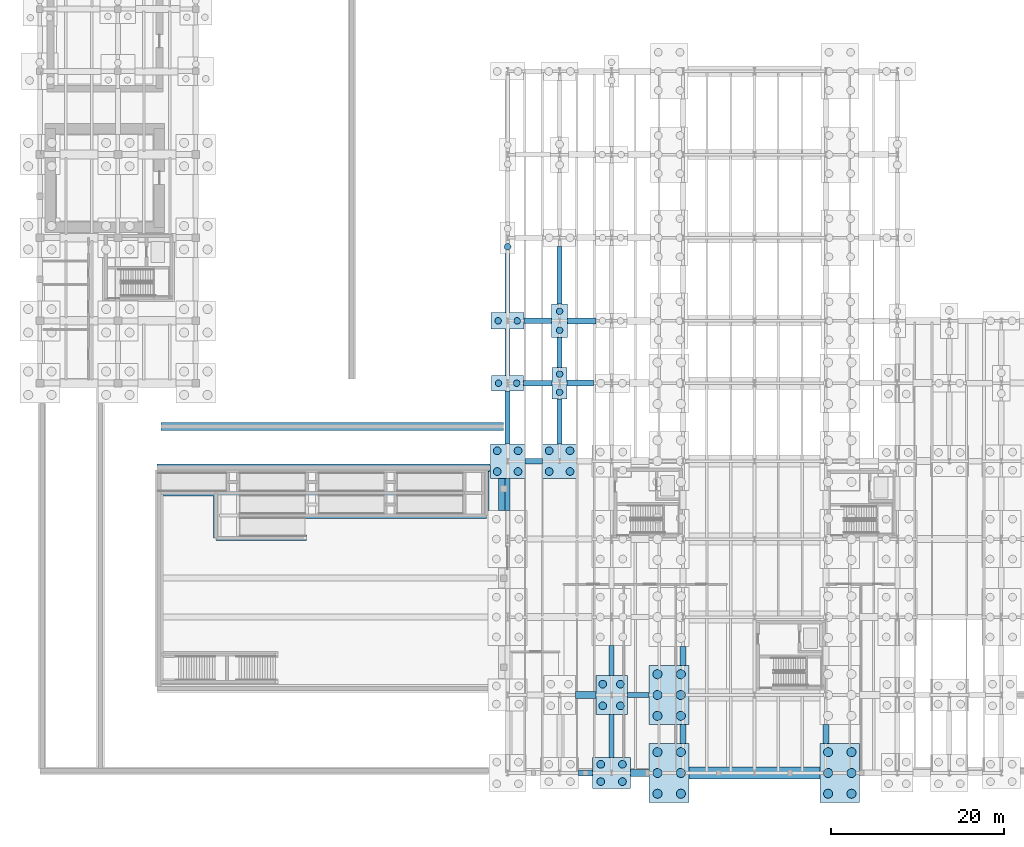
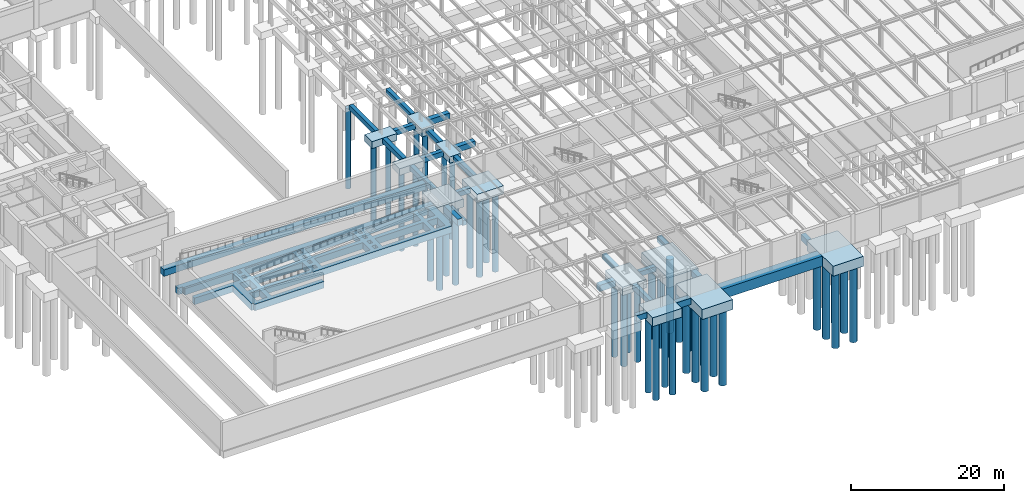
# One storey, part 2 of 59: 43 piles, 37 footings.
"""IFC4 building model written with IfcOpenShell, lengths in metres."""

from ifc_helpers import new_model, si_unit, direction, frame, origin, origin_2d, place, context, subcontext, project, spatial, polyline, rectangle, circle, outline, extrude, material, material_profile, profile_set, type_object, element, save


model = new_model("IFC4")

# Units and contexts
model_context = context("Model", 3, precision=1e-05, world=origin(), true_north=direction((0.0, 1.0)))
body_context = subcontext(model_context, "Body", "Model", "MODEL_VIEW")
ifc_project = project(units=[si_unit("LENGTHUNIT", "METRE"), si_unit("AREAUNIT", "SQUARE_METRE"), si_unit("VOLUMEUNIT", "CUBIC_METRE"), si_unit("PLANEANGLEUNIT", "RADIAN"), si_unit("MASSUNIT", "GRAM", prefix="KILO")], contexts=[model_context])

# Site, building, storey
site_placement = place(None, origin())
site = spatial("IfcSite", under=ifc_project, at=site_placement, CompositionType="ELEMENT")
building_placement = place(site_placement, origin())
building = spatial("IfcBuilding", under=site, at=building_placement, Name="Montealbar Specialist Clinic", CompositionType="ELEMENT")
storey_placement = place(building_placement, frame((0.0, 0.0, -4.800048828125)))
storey = spatial("IfcBuildingStorey", under=building, at=storey_placement, Name="B01", CompositionType="ELEMENT", Elevation=-4.800048828125)

# Footings
ifc_material = material(Name="Concrete C35/45", Category="concrete")
footing_type_1 = type_object("IfcFootingType", Name="FB-METRO-1400x1600", PredefinedType="FOOTING_BEAM", material=ifc_material)
footing_1_placement = place(storey_placement, frame((0.0, 0.0, -1.599853515625)))
element("IfcFooting", 1, at=footing_1_placement, inside=storey, type_object=footing_type_1, Name="Foundation Ground Beam FBX-750-900-0", PredefinedType="FOOTING_BEAM", context=body_context, shape_type="SweptSolid", body=[
    extrude(outline(polyline([(74.949951171875, -0.699951171875), (90.050048828125, -0.699951171875), (90.050048828125, 0.699951171875), (74.949951171875, 0.699951171875), (74.949951171875, -0.699951171875)])), origin(), (0.0, 0.0, 1.0), 1.599853515625),
])
footing_type_2 = type_object("IfcFootingType", Name="FB-TIE-600x800", PredefinedType="FOOTING_BEAM", material=ifc_material)
footing_2_placement = place(storey_placement, frame((0.0, 0.0, -1.25)))
element("IfcFooting", 2, at=footing_2_placement, inside=storey, type_object=footing_type_2, Name="Foundation Ground Beam FBX-678-704-90", PredefinedType="FOOTING_BEAM", context=body_context, shape_type="SweptSolid", body=[
    extrude(outline(polyline([(67.824951171875, 8.699951171875), (70.35009765625, 8.699951171875), (70.35009765625, 9.300048828125), (67.824951171875, 9.300048828125), (67.824951171875, 8.699951171875)])), origin(), (0.0, 0.0, 1.0), 0.800048828125),
])
footing_3_placement = place(storey_placement, frame((0.0, 0.0, -0.800048828125)))
element("IfcFooting", 3, at=footing_3_placement, inside=storey, type_object=footing_type_2, Name="Foundation Ground Beam FBX-560-580-360", PredefinedType="FOOTING_BEAM", context=body_context, shape_type="SweptSolid", body=[
    extrude(outline(polyline([(56.0, 35.699951171875), (58.0, 35.699951171875), (58.0, 36.300048828125), (56.0, 36.300048828125), (56.0, 35.699951171875)])), origin(), (0.0, 0.0, 1.0), 0.800048828125),
])
footing_4_placement = place(storey_placement, frame((0.0, 0.0, -0.800048828125)))
element("IfcFooting", 4, at=footing_4_placement, inside=storey, type_object=footing_type_2, Name="Foundation Ground Beam FBX-558-591-450", PredefinedType="FOOTING_BEAM", context=body_context, shape_type="SweptSolid", body=[
    extrude(outline(polyline([(55.85009765625, 44.699951171875), (59.125, 44.699951171875), (59.125, 45.300048828125), (55.85009765625, 45.300048828125), (55.85009765625, 44.699951171875)])), origin(), (0.0, 0.0, 1.0), 0.800048828125),
])
footing_5_placement = place(storey_placement, frame((0.0, 0.0, -0.800048828125)))
element("IfcFooting", 5, at=footing_5_placement, inside=storey, type_object=footing_type_2, Name="Foundation Ground Beam FBX-559-591-522", PredefinedType="FOOTING_BEAM", context=body_context, shape_type="SweptSolid", body=[
    extrude(outline(polyline([(55.89990234375, 51.89990234375), (59.074951171875, 51.89990234375), (59.074951171875, 52.5), (55.89990234375, 52.5), (55.89990234375, 51.89990234375)])), origin(), (0.0, 0.0, 1.0), 0.800048828125),
])
footing_6_placement = place(storey_placement, frame((0.0, 0.0, -1.25)))
element("IfcFooting", 6, at=footing_6_placement, inside=storey, type_object=footing_type_2, Name="Foundation Tie Beam FBY-540-303-340", PredefinedType="FOOTING_BEAM", context=body_context, shape_type="SweptSolid", body=[
    extrude(outline(polyline([(53.699951171875, 30.300048828125), (54.300048828125, 30.300048828125), (54.300048828125, 34.0), (53.699951171875, 34.0), (53.699951171875, 30.300048828125)])), origin(), (0.0, 0.0, 1.0), 0.800048828125),
])
footing_7_placement = place(storey_placement, frame((0.0, 0.0, -0.800048828125)))
element("IfcFooting", 7, at=footing_7_placement, inside=storey, type_object=footing_type_2, Name="Foundation Tie Beam FBY-540-380-441", PredefinedType="FOOTING_BEAM", context=body_context, shape_type="SweptSolid", body=[
    extrude(outline(polyline([(53.699951171875, 38.0), (54.300048828125, 38.0), (54.300048828125, 44.10009765625), (53.699951171875, 44.10009765625), (53.699951171875, 38.0)])), origin(), (0.0, 0.0, 1.0), 0.800048828125),
])
footing_8_placement = place(storey_placement, frame((0.0, 0.0, -0.800048828125)))
element("IfcFooting", 8, at=footing_8_placement, inside=storey, type_object=footing_type_2, Name="Foundation Tie Beam FBY-540-459-512", PredefinedType="FOOTING_BEAM", context=body_context, shape_type="SweptSolid", body=[
    extrude(outline(polyline([(53.699951171875, 45.89990234375), (54.300048828125, 45.89990234375), (54.300048828125, 51.25), (53.699951171875, 51.25), (53.699951171875, 45.89990234375)])), origin(), (0.0, 0.0, 1.0), 0.800048828125),
])
footing_9_placement = place(storey_placement, frame((0.0, 0.0, -0.800048828125)))
element("IfcFooting", 9, at=footing_9_placement, inside=storey, type_object=footing_type_2, Name="Foundation Tie Beam FBY-540-532-600", PredefinedType="FOOTING_BEAM", context=body_context, shape_type="SweptSolid", body=[
    extrude(outline(polyline([(53.699951171875, 53.14990234375), (54.300048828125, 53.14990234375), (54.300048828125, 59.97509765625), (53.699951171875, 59.97509765625), (53.699951171875, 53.14990234375)])), origin(), (0.0, 0.0, 1.0), 0.800048828125),
])
footing_10_placement = place(storey_placement, frame((0.0, 0.0, -0.800048828125)))
element("IfcFooting", 10, at=footing_10_placement, inside=storey, type_object=footing_type_2, Name="Foundation Tie Beam FBY-600-380-432", PredefinedType="FOOTING_BEAM", context=body_context, shape_type="SweptSolid", body=[
    extrude(outline(polyline([(59.699951171875, 38.0), (60.300048828125, 38.0), (60.300048828125, 43.175048828125), (59.699951171875, 43.175048828125), (59.699951171875, 38.0)])), origin(), (0.0, 0.0, 1.0), 0.800048828125),
])
footing_11_placement = place(storey_placement, frame((0.0, 0.0, -0.800048828125)))
element("IfcFooting", 11, at=footing_11_placement, inside=storey, type_object=footing_type_2, Name="Foundation Tie Beam FBY-600-468-503", PredefinedType="FOOTING_BEAM", context=body_context, shape_type="SweptSolid", body=[
    extrude(outline(polyline([(59.699951171875, 46.824951171875), (60.300048828125, 46.824951171875), (60.300048828125, 50.27490234375), (59.699951171875, 50.27490234375), (59.699951171875, 46.824951171875)])), origin(), (0.0, 0.0, 1.0), 0.800048828125),
])
footing_12_placement = place(storey_placement, frame((0.0, 0.0, -0.800048828125)))
element("IfcFooting", 12, at=footing_12_placement, inside=storey, type_object=footing_type_2, Name="Foundation Tie Beam FBY-600-541-608", PredefinedType="FOOTING_BEAM", context=body_context, shape_type="SweptSolid", body=[
    extrude(outline(polyline([(59.699951171875, 54.125), (60.300048828125, 54.125), (60.300048828125, 60.800048828125), (59.699951171875, 60.800048828125), (59.699951171875, 54.125)])), origin(), (0.0, 0.0, 1.0), 0.800048828125),
])
footing_13_placement = place(storey_placement, frame((0.0, 0.0, -1.25)))
element("IfcFooting", 13, at=footing_13_placement, inside=storey, type_object=footing_type_2, Name="Foundation Tie Beam FBY-660-18-68", PredefinedType="FOOTING_BEAM", context=body_context, shape_type="SweptSolid", body=[
    extrude(outline(polyline([(65.699951171875, 1.800048828125), (66.300048828125, 1.800048828125), (66.300048828125, 6.77490234375), (65.699951171875, 6.77490234375), (65.699951171875, 1.800048828125)])), origin(), (0.0, 0.0, 1.0), 0.800048828125),
])
footing_14_placement = place(storey_placement, frame((0.0, 0.0, -1.25)))
element("IfcFooting", 14, at=footing_14_placement, inside=storey, type_object=footing_type_2, Name="Foundation Tie Beam FBY-660-112-147", PredefinedType="FOOTING_BEAM", context=body_context, shape_type="SweptSolid", body=[
    extrude(outline(polyline([(65.699951171875, 11.22509765625), (66.300048828125, 11.22509765625), (66.300048828125, 14.699951171875), (65.699951171875, 14.699951171875), (65.699951171875, 11.22509765625)])), origin(), (0.0, 0.0, 1.0), 0.800048828125),
])
footing_type_3 = type_object("IfcFootingType", Name="FB-TIE-700x900", PredefinedType="FOOTING_BEAM", material=ifc_material)
footing_15_placement = place(storey_placement, frame((0.0, 0.0, -0.89990234375)))
element("IfcFooting", 15, at=footing_15_placement, inside=storey, type_object=footing_type_3, Name="Foundation Ground Beam FBX-622-638-0", PredefinedType="FOOTING_BEAM", context=body_context, shape_type="SweptSolid", body=[
    extrude(outline(polyline([(62.199951171875, -0.35009765625), (63.800048828125, -0.35009765625), (63.800048828125, 0.35009765625), (62.199951171875, 0.35009765625), (62.199951171875, -0.35009765625)])), origin(), (0.0, 0.0, 1.0), 0.89990234375),
])
footing_16_placement = place(storey_placement, frame((0.0, 0.0, -0.89990234375)))
element("IfcFooting", 16, at=footing_16_placement, inside=storey, type_object=footing_type_3, Name="Foundation Ground Beam FBX-609-639-450", PredefinedType="FOOTING_BEAM", context=body_context, shape_type="SweptSolid", body=[
    extrude(outline(polyline([(60.875, 44.64990234375), (63.89990234375, 44.64990234375), (63.89990234375, 45.35009765625), (60.875, 45.35009765625), (60.875, 44.64990234375)])), origin(), (0.0, 0.0, 1.0), 0.89990234375),
])
footing_17_placement = place(storey_placement, frame((0.0, 0.0, -0.89990234375)))
element("IfcFooting", 17, at=footing_17_placement, inside=storey, type_object=footing_type_3, Name="Foundation Ground Beam FBX-609-642-522", PredefinedType="FOOTING_BEAM", context=body_context, shape_type="SweptSolid", body=[
    extrude(outline(polyline([(60.925048828125, 51.85009765625), (64.199951171875, 51.85009765625), (64.199951171875, 52.550048828125), (60.925048828125, 52.550048828125), (60.925048828125, 51.85009765625)])), origin(), (0.0, 0.0, 1.0), 0.89990234375),
])
footing_18_placement = place(storey_placement, frame((0.0, 0.0, -1.349853515625)))
element("IfcFooting", 18, at=footing_18_placement, inside=storey, type_object=footing_type_3, Name="Foundation Tie Beam FBY-742-34-56", PredefinedType="FOOTING_BEAM", context=body_context, shape_type="SweptSolid", body=[
    extrude(outline(polyline([(73.89990234375, 3.39990234375), (74.60009765625, 3.39990234375), (74.60009765625, 5.60009765625), (73.89990234375, 5.60009765625), (73.89990234375, 3.39990234375)])), origin(), (0.0, 0.0, 1.0), 0.89990234375),
])
footing_19_placement = place(storey_placement, frame((0.0, 0.0, -1.349853515625)))
element("IfcFooting", 19, at=footing_19_placement, inside=storey, type_object=footing_type_3, Name="Foundation Tie Beam FBY-742-124-146", PredefinedType="FOOTING_BEAM", context=body_context, shape_type="SweptSolid", body=[
    extrude(outline(polyline([(73.89990234375, 12.39990234375), (74.60009765625, 12.39990234375), (74.60009765625, 14.60009765625), (73.89990234375, 14.60009765625), (73.89990234375, 12.39990234375)])), origin(), (0.0, 0.0, 1.0), 0.89990234375),
])
footing_20_placement = place(storey_placement, frame((0.0, 0.0, -1.349853515625)))
element("IfcFooting", 20, at=footing_20_placement, inside=storey, type_object=footing_type_3, Name="Foundation Tie Beam FBY-908-34-56", PredefinedType="FOOTING_BEAM", context=body_context, shape_type="SweptSolid", body=[
    extrude(outline(polyline([(90.39990234375, 3.39990234375), (91.10009765625, 3.39990234375), (91.10009765625, 5.60009765625), (90.39990234375, 5.60009765625), (90.39990234375, 3.39990234375)])), origin(), (0.0, 0.0, 1.0), 0.89990234375),
])
footing_type_4 = type_object("IfcFootingType", Name="FB-TIE-800x1000", PredefinedType="FOOTING_BEAM", material=ifc_material)
footing_21_placement = place(storey_placement, frame((0.0, 0.0, -1.0)))
element("IfcFooting", 21, at=footing_21_placement, inside=storey, type_object=footing_type_4, Name="Foundation Ground Beam FBX-682-704-0", PredefinedType="FOOTING_BEAM", context=body_context, shape_type="SweptSolid", body=[
    extrude(outline(polyline([(68.199951171875, -0.39990234375), (70.35009765625, -0.39990234375), (70.35009765625, 0.39990234375), (68.199951171875, 0.39990234375), (68.199951171875, -0.39990234375)])), origin(), (0.0, 0.0, 1.0), 1.0),
])
footing_22_placement = place(storey_placement, frame((0.0, 0.0, -1.449951171875)))
element("IfcFooting", 22, at=footing_22_placement, inside=storey, type_object=footing_type_4, Name="Foundation Ground Beam FBX-618-642-90", PredefinedType="FOOTING_BEAM", context=body_context, shape_type="SweptSolid", body=[
    extrude(outline(polyline([(61.824951171875, 8.60009765625), (64.175048828125, 8.60009765625), (64.175048828125, 9.39990234375), (61.824951171875, 9.39990234375), (61.824951171875, 8.60009765625)])), origin(), (0.0, 0.0, 1.0), 1.0),
])
footing_type_5 = type_object("IfcFootingType", Name="FT-CORE-STRIP", PredefinedType="STRIP_FOOTING", material=ifc_material)
footing_23_placement = place(storey_placement, frame((0.0, 0.0, -1.050048828125)))
element("IfcFooting", 23, at=footing_23_placement, inside=storey, type_object=footing_type_5, Name="Strip Footing FT-PLINTH-FC-N-1", PredefinedType="STRIP_FOOTING", context=body_context, shape_type="SweptSolid", body=[
    extrude(outline(polyline([(51.969970703125, 35.699951171875), (51.969970703125, 34.800048828125), (14.2099609375, 34.800048828125), (14.2099609375, 35.0), (14.2099609375, 35.0009765625), (14.2099609375, 35.001953125), (14.2099609375, 35.0029296875), (14.208984375, 35.00390625), (14.208984375, 35.0048828125), (14.2080078125, 35.006103515625), (14.2080078125, 35.006103515625), (14.20703125, 35.007080078125), (14.2060546875, 35.008056640625), (14.2060546875, 35.008056640625), (14.205078125, 35.009033203125), (14.2041015625, 35.009033203125), (14.202880859375, 35.010009765625), (14.201904296875, 35.010009765625), (14.200927734375, 35.010009765625), (14.199951171875, 35.010009765625), (13.5, 35.010009765625), (13.5, 35.699951171875), (51.969970703125, 35.699951171875)])), origin(), (0.0, 0.0, 1.0), 1.050048828125),
])
footing_24_placement = place(storey_placement, frame((0.0, 0.0, -1.050048828125)))
element("IfcFooting", 24, at=footing_24_placement, inside=storey, type_object=footing_type_5, Name="Strip Footing FT-PLINTH-SUP-SW2-1", PredefinedType="STRIP_FOOTING", context=body_context, shape_type="SweptSolid", body=[
    extrude(outline(polyline([(53.5, 39.550048828125), (14.0, 39.550048828125), (14.0, 40.449951171875), (53.5, 40.449951171875), (53.5, 39.550048828125)])), origin(), (0.0, 0.0, 1.0), 1.050048828125),
])
footing_25_placement = place(storey_placement, frame((0.0, 0.0, -1.050048828125)))
element("IfcFooting", 25, at=footing_25_placement, inside=storey, type_object=footing_type_5, Name="Strip Footing FT-METRO-MP-1", PredefinedType="STRIP_FOOTING", context=body_context, shape_type="SweptSolid", body=[
    extrude(outline(polyline([(52.949951171875, 33.969970703125), (53.669921875, 33.969970703125), (53.669921875, 30.330078125), (52.949951171875, 30.330078125), (52.949951171875, 33.969970703125)])), origin(), (0.0, 0.0, 1.0), 1.050048828125),
])
footing_26_placement = place(storey_placement, frame((0.0, 0.0, -1.050048828125)))
element("IfcFooting", 26, at=footing_26_placement, inside=storey, type_object=footing_type_5, Name="Strip Footing FT-FORECOURT-WALLS-2", PredefinedType="STRIP_FOOTING", context=body_context, shape_type="SweptSolid", body=[
    extrude(outline(polyline([(14.260009765625, 31.97998046875), (14.260009765625, 32.6201171875), (21.39990234375, 32.6201171875), (21.39990234375, 34.5), (14.260009765625, 34.5), (14.260009765625, 34.7900390625), (51.8701171875, 34.7900390625), (51.8701171875, 30.330078125), (51.719970703125, 30.330078125), (51.719970703125, 29.75), (51.550048828125, 29.75), (51.550048828125, 29.39990234375), (23.199951171875, 29.39990234375), (23.199951171875, 27.469970703125), (30.800048828125, 27.469970703125), (30.800048828125, 26.830078125), (20.35009765625, 26.830078125), (20.35009765625, 27.14990234375), (20.030029296875, 27.14990234375), (20.030029296875, 31.97998046875), (14.260009765625, 31.97998046875)]), holes=[polyline([(21.0400390625, 31.97998046875), (21.0400390625, 30.02001953125), (22.56005859375, 30.02001953125), (22.56005859375, 31.97998046875), (21.0400390625, 31.97998046875)]), polyline([(23.199951171875, 31.97998046875), (23.199951171875, 30.0400390625), (30.5, 30.0400390625), (30.5, 31.97998046875), (23.199951171875, 31.97998046875)]), polyline([(22.56005859375, 29.3798828125), (21.0400390625, 29.3798828125), (21.0400390625, 27.469970703125), (22.56005859375, 27.469970703125), (22.56005859375, 29.3798828125)]), polyline([(31.659912109375, 30.679931640625), (31.139892578125, 30.679931640625), (31.139892578125, 30.0400390625), (31.659912109375, 30.0400390625), (31.659912109375, 30.679931640625)]), polyline([(31.139892578125, 31.97998046875), (31.139892578125, 31.320068359375), (31.659912109375, 31.320068359375), (31.659912109375, 31.97998046875), (31.139892578125, 31.97998046875)]), polyline([(22.0400390625, 34.5), (22.0400390625, 33.919921875), (22.56005859375, 33.919921875), (22.56005859375, 34.5), (22.0400390625, 34.5)]), polyline([(23.199951171875, 34.5), (23.199951171875, 32.6201171875), (30.5, 32.6201171875), (30.5, 34.5), (23.199951171875, 34.5)]), polyline([(22.56005859375, 32.6201171875), (22.56005859375, 33.280029296875), (22.0400390625, 33.280029296875), (22.0400390625, 32.6201171875), (22.56005859375, 32.6201171875)]), polyline([(31.659912109375, 33.280029296875), (31.139892578125, 33.280029296875), (31.139892578125, 32.6201171875), (31.659912109375, 32.6201171875), (31.659912109375, 33.280029296875)]), polyline([(31.139892578125, 34.5), (31.139892578125, 33.919921875), (31.659912109375, 33.919921875), (31.659912109375, 34.5), (31.139892578125, 34.5)]), polyline([(39.60009765625, 32.6201171875), (39.60009765625, 34.5), (32.300048828125, 34.5), (32.300048828125, 32.6201171875), (39.60009765625, 32.6201171875)]), polyline([(40.760009765625, 32.6201171875), (40.760009765625, 33.280029296875), (40.239990234375, 33.280029296875), (40.239990234375, 32.6201171875), (40.760009765625, 32.6201171875)]), polyline([(48.699951171875, 32.6201171875), (48.699951171875, 34.5), (41.39990234375, 34.5), (41.39990234375, 32.6201171875), (48.699951171875, 32.6201171875)]), polyline([(49.340087890625, 32.6201171875), (50.860107421875, 32.6201171875), (50.860107421875, 34.5), (49.340087890625, 34.5), (49.340087890625, 32.6201171875)]), polyline([(49.340087890625, 30.0400390625), (50.860107421875, 30.0400390625), (50.860107421875, 31.97998046875), (49.340087890625, 31.97998046875), (49.340087890625, 30.0400390625)]), polyline([(39.60009765625, 30.0400390625), (39.60009765625, 31.97998046875), (32.300048828125, 31.97998046875), (32.300048828125, 30.0400390625), (39.60009765625, 30.0400390625)]), polyline([(40.760009765625, 31.320068359375), (40.760009765625, 31.97998046875), (40.239990234375, 31.97998046875), (40.239990234375, 31.320068359375), (40.760009765625, 31.320068359375)]), polyline([(40.760009765625, 30.0400390625), (40.760009765625, 30.679931640625), (40.239990234375, 30.679931640625), (40.239990234375, 30.0400390625), (40.760009765625, 30.0400390625)]), polyline([(48.699951171875, 31.97998046875), (41.39990234375, 31.97998046875), (41.39990234375, 30.0400390625), (48.699951171875, 30.0400390625), (48.699951171875, 31.97998046875)]), polyline([(40.760009765625, 34.5), (40.239990234375, 34.5), (40.239990234375, 33.919921875), (40.760009765625, 33.919921875), (40.760009765625, 34.5)])]), origin(), (0.0, 0.0, 1.0), 1.050048828125),
])
footing_type_6 = type_object("IfcFootingType", Name="PC-2B", PredefinedType="PILE_CAP", material=ifc_material)
footing_27_placement = place(storey_placement, frame((54.0, 45.0, -1.0498046875), z_axis=(0.0, 0.0, 1.0), x_axis=(1.0, 0.0, 0.0)))
element("IfcFooting", 27, at=footing_27_placement, inside=storey, type_object=footing_type_6, Name="Pile Cap 7/F", PredefinedType="PILE_CAP", context=body_context, shape_type="SweptSolid", body=[
    extrude(rectangle(XDim=3.699951171875, YDim=1.800048828125, at=origin_2d()), origin(), (0.0, 0.0, 1.0), 1.050048828125),
])
footing_type_7 = type_object("IfcFootingType", Name="PC-2C", PredefinedType="PILE_CAP", material=ifc_material)
footing_28_placement = place(storey_placement, frame((54.0, 52.199951171875, -1.10009765625), z_axis=(0.0, 0.0, 1.0), x_axis=(1.0, 0.0, 0.0)))
element("IfcFooting", 28, at=footing_28_placement, inside=storey, type_object=footing_type_7, Name="Pile Cap 7/G", PredefinedType="PILE_CAP", context=body_context, shape_type="SweptSolid", body=[
    extrude(rectangle(XDim=3.800048828125, YDim=1.89990234375, at=origin_2d()), origin(), (0.0, 0.0, 1.0), 1.10009765625),
])
footing_type_8 = type_object("IfcFootingType", Name="PC-2D", PredefinedType="PILE_CAP", material=ifc_material)
footing_29_placement = place(storey_placement, frame((60.0, 45.0, -1.0), z_axis=(0.0, 0.0, 1.0), x_axis=(1.0, 0.0, 0.0)))
element("IfcFooting", 29, at=footing_29_placement, inside=storey, type_object=footing_type_8, Name="Pile Cap 8/F", PredefinedType="PILE_CAP", context=body_context, shape_type="SweptSolid", body=[
    extrude(rectangle(XDim=1.75, YDim=3.64990234375, at=origin_2d()), origin(), (0.0, 0.0, 1.0), 1.0),
])
footing_type_9 = type_object("IfcFootingType", Name="PC-2E", PredefinedType="PILE_CAP", material=ifc_material)
footing_30_placement = place(storey_placement, frame((60.0, 52.199951171875, -1.10009765625), z_axis=(0.0, 0.0, 1.0), x_axis=(1.0, 0.0, 0.0)))
element("IfcFooting", 30, at=footing_30_placement, inside=storey, type_object=footing_type_9, Name="Pile Cap 8/G", PredefinedType="PILE_CAP", context=body_context, shape_type="SweptSolid", body=[
    extrude(rectangle(XDim=1.85009765625, YDim=3.85009765625, at=origin_2d()), origin(), (0.0, 0.0, 1.0), 1.10009765625),
])
footing_type_10 = type_object("IfcFootingType", Name="PC-4C", PredefinedType="PILE_CAP", material=ifc_material)
for number, where, z_axis, x_axis, name in (
    (31, (54.0, 36.0, -1.2998046875), (0.0, 0.0, 1.0), (1.0, 0.0, 0.0), "Pile Cap 7/E"),
    (32, (60.0, 36.0, -1.2998046875), (0.0, 0.0, 1.0), (1.0, 0.0, 0.0), "Pile Cap 8/E"),
):
    element("IfcFooting", number, at=place(storey_placement, frame(where, z_axis=z_axis, x_axis=x_axis)), inside=storey, type_object=footing_type_10, Name=name, PredefinedType="PILE_CAP", context=body_context, shape_type="SweptSolid", body=[
        extrude(rectangle(XDim=4.0, YDim=4.0, at=origin_2d()), origin(), (0.0, 0.0, 1.0), 1.300048828125),
    ])
footing_type_11 = type_object("IfcFootingType", Name="PC-4J", PredefinedType="PILE_CAP", material=ifc_material)
footing_31_placement = place(storey_placement, frame((66.0, 0.0, -1.39990234375), z_axis=(0.0, 0.0, 1.0), x_axis=(1.0, 0.0, 0.0)))
element("IfcFooting", 33, at=footing_31_placement, inside=storey, type_object=footing_type_11, Name="Pile Cap 9/A", PredefinedType="PILE_CAP", context=body_context, shape_type="SweptSolid", body=[
    extrude(rectangle(XDim=4.39990234375, YDim=3.60009765625, at=origin_2d()), origin(), (0.0, 0.0, 1.0), 1.39990234375),
])
footing_type_12 = type_object("IfcFootingType", Name="PC-4K", PredefinedType="PILE_CAP", material=ifc_material)
footing_32_placement = place(storey_placement, frame((66.0, 9.0, -1.800048828125), z_axis=(0.0, 0.0, 1.0), x_axis=(1.0, 0.0, 0.0)))
element("IfcFooting", 34, at=footing_32_placement, inside=storey, type_object=footing_type_12, Name="Pile Cap 9/B", PredefinedType="PILE_CAP", context=body_context, shape_type="SweptSolid", body=[
    extrude(rectangle(XDim=3.64990234375, YDim=4.449951171875, at=origin_2d()), origin(), (0.0, 0.0, 1.0), 1.35009765625),
])
footing_type_13 = type_object("IfcFootingType", Name="PC-6C", PredefinedType="PILE_CAP", material=ifc_material)
for number, where, z_axis, x_axis, name in (
    (35, (72.64990234375, 0.0, -1.60009765625), (0.0, 0.0, 1.0), (1.0, 0.0, 0.0), "Pile Cap 10/A"),
    (36, (72.64990234375, 9.0, -2.050048828125), (0.0, 0.0, 1.0), (1.0, 0.0, 0.0), "Pile Cap 10/B"),
    (37, (92.35009765625, 0.0, -1.60009765625), (0.0, 0.0, 1.0), (1.0, 0.0, 0.0), "Pile Cap 12/A"),
):
    element("IfcFooting", number, at=place(storey_placement, frame(where, z_axis=z_axis, x_axis=x_axis)), inside=storey, type_object=footing_type_13, Name=name, PredefinedType="PILE_CAP", context=body_context, shape_type="SweptSolid", body=[
        extrude(rectangle(XDim=4.60009765625, YDim=6.800048828125, at=origin_2d()), origin(), (0.0, 0.0, 1.0), 1.60009765625),
    ])

# Piles
ifc_material_profile_1 = material_profile(ifc_material, circle(Radius=0.52490234375, at=origin_2d()), Name="PILE D1050", Category="concrete")
ifc_profile_set_1 = profile_set([ifc_material_profile_1], Name="Concrete C35/45")
pile_type_1 = type_object("IfcPileType", Name="PILE-D1050", PredefinedType="BORED", material=ifc_profile_set_1)
for number, where, z_axis, x_axis, name in (
    (38, (71.300048828125, -2.39990234375, -1.5), (0.0, 0.0, -1.0), (1.0, 0.0, 0.0), "Bored Pile 10/A-P1"),
    (39, (74.0, -2.39990234375, -1.5), (0.0, 0.0, -1.0), (1.0, 0.0, 0.0), "Bored Pile 10/A-P2"),
    (40, (71.300048828125, 0.0, -1.5), (0.0, 0.0, -1.0), (1.0, 0.0, 0.0), "Bored Pile 10/A-P3"),
    (41, (74.0, 0.0, -1.5), (0.0, 0.0, -1.0), (1.0, 0.0, 0.0), "Bored Pile 10/A-P4"),
    (42, (71.300048828125, 2.39990234375, -1.5), (0.0, 0.0, -1.0), (1.0, 0.0, 0.0), "Bored Pile 10/A-P5"),
    (43, (74.0, 2.39990234375, -1.5), (0.0, 0.0, -1.0), (1.0, 0.0, 0.0), "Bored Pile 10/A-P6"),
):
    element("IfcPile", number, at=place(storey_placement, frame(where, z_axis=z_axis, x_axis=x_axis)), inside=storey, type_object=pile_type_1, Name=name, PredefinedType="BORED", context=body_context, shape_type="SweptSolid", body=[
        extrude(circle(Radius=0.52490234375, at=origin_2d()), origin(), (0.0, 0.0, 1.0), 12.199951171875),
    ])
for number, where, z_axis, x_axis, name in (
    (44, (71.300048828125, 6.60009765625, -1.949951171875), (0.0, 0.0, -1.0), (1.0, 0.0, 0.0), "Bored Pile 10/B-P1"),
    (45, (74.0, 6.60009765625, -1.949951171875), (0.0, 0.0, -1.0), (1.0, 0.0, 0.0), "Bored Pile 10/B-P2"),
    (46, (71.300048828125, 9.0, -1.949951171875), (0.0, 0.0, -1.0), (1.0, 0.0, 0.0), "Bored Pile 10/B-P3"),
    (47, (74.0, 9.0, -1.949951171875), (0.0, 0.0, -1.0), (1.0, 0.0, 0.0), "Bored Pile 10/B-P4"),
    (48, (71.300048828125, 11.39990234375, -1.949951171875), (0.0, 0.0, -1.0), (1.0, 0.0, 0.0), "Bored Pile 10/B-P5"),
    (49, (74.0, 11.39990234375, -1.949951171875), (0.0, 0.0, -1.0), (1.0, 0.0, 0.0), "Bored Pile 10/B-P6"),
):
    element("IfcPile", number, at=place(storey_placement, frame(where, z_axis=z_axis, x_axis=x_axis)), inside=storey, type_object=pile_type_1, Name=name, PredefinedType="BORED", context=body_context, shape_type="SweptSolid", body=[
        extrude(circle(Radius=0.52490234375, at=origin_2d()), origin(), (0.0, 0.0, 1.0), 11.75),
    ])
for number, where, z_axis, x_axis, name in (
    (50, (91.0, -2.39990234375, -1.5), (0.0, 0.0, -1.0), (1.0, 0.0, 0.0), "Bored Pile 12/A-P1"),
    (51, (93.699951171875, -2.39990234375, -1.5), (0.0, 0.0, -1.0), (1.0, 0.0, 0.0), "Bored Pile 12/A-P2"),
    (52, (91.0, 0.0, -1.5), (0.0, 0.0, -1.0), (1.0, 0.0, 0.0), "Bored Pile 12/A-P3"),
    (53, (93.699951171875, 0.0, -1.5), (0.0, 0.0, -1.0), (1.0, 0.0, 0.0), "Bored Pile 12/A-P4"),
    (54, (91.0, 2.39990234375, -1.5), (0.0, 0.0, -1.0), (1.0, 0.0, 0.0), "Bored Pile 12/A-P5"),
    (55, (93.699951171875, 2.39990234375, -1.5), (0.0, 0.0, -1.0), (1.0, 0.0, 0.0), "Bored Pile 12/A-P6"),
):
    element("IfcPile", number, at=place(storey_placement, frame(where, z_axis=z_axis, x_axis=x_axis)), inside=storey, type_object=pile_type_1, Name=name, PredefinedType="BORED", context=body_context, shape_type="SweptSolid", body=[
        extrude(circle(Radius=0.52490234375, at=origin_2d()), origin(), (0.0, 0.0, 1.0), 12.199951171875),
    ])
ifc_material_profile_2 = material_profile(ifc_material, circle(Radius=0.375, at=origin_2d()), Name="PILE D750", Category="concrete")
ifc_profile_set_2 = profile_set([ifc_material_profile_2], Name="Concrete C35/45")
pile_type_2 = type_object("IfcPileType", Name="PILE-D750", PredefinedType="BORED", material=ifc_profile_set_2)
for number, where, z_axis, x_axis, name in (
    (56, (52.949951171875, 45.0, -0.949951171875), (0.0, 0.0, -1.0), (1.0, 0.0, 0.0), "Bored Pile 7/F-P1"),
    (57, (55.050048828125, 45.0, -0.949951171875), (0.0, 0.0, -1.0), (1.0, 0.0, 0.0), "Bored Pile 7/F-P2"),
):
    element("IfcPile", number, at=place(storey_placement, frame(where, z_axis=z_axis, x_axis=x_axis)), inside=storey, type_object=pile_type_2, Name=name, PredefinedType="BORED", context=body_context, shape_type="SweptSolid", body=[
        extrude(circle(Radius=0.375, at=origin_2d()), origin(), (0.0, 0.0, 1.0), 12.75),
    ])
for number, where, z_axis, x_axis, name in (
    (58, (52.89990234375, 52.199951171875, -1.0), (0.0, 0.0, -1.0), (1.0, 0.0, 0.0), "Bored Pile 7/G-P1"),
    (59, (55.10009765625, 52.199951171875, -1.0), (0.0, 0.0, -1.0), (1.0, 0.0, 0.0), "Bored Pile 7/G-P2"),
):
    element("IfcPile", number, at=place(storey_placement, frame(where, z_axis=z_axis, x_axis=x_axis)), inside=storey, type_object=pile_type_2, Name=name, PredefinedType="BORED", context=body_context, shape_type="SweptSolid", body=[
        extrude(circle(Radius=0.375, at=origin_2d()), origin(), (0.0, 0.0, 1.0), 12.699951171875),
    ])
for number, where, z_axis, x_axis, name in (
    (60, (54.0, 60.75, -0.89990234375), (0.0, 0.0, -1.0), (1.0, 0.0, 0.0), "Bored Pile 7/H-P1"),
    (61, (60.0, 43.949951171875, -0.89990234375), (0.0, 0.0, -1.0), (1.0, 0.0, 0.0), "Bored Pile 8/F-P1"),
    (62, (60.0, 46.050048828125, -0.89990234375), (0.0, 0.0, -1.0), (1.0, 0.0, 0.0), "Bored Pile 8/F-P2"),
):
    element("IfcPile", number, at=place(storey_placement, frame(where, z_axis=z_axis, x_axis=x_axis)), inside=storey, type_object=pile_type_2, Name=name, PredefinedType="BORED", context=body_context, shape_type="SweptSolid", body=[
        extrude(circle(Radius=0.375, at=origin_2d()), origin(), (0.0, 0.0, 1.0), 12.800048828125),
    ])
for number, where, z_axis, x_axis, name in (
    (63, (60.0, 51.10009765625, -1.0), (0.0, 0.0, -1.0), (1.0, 0.0, 0.0), "Bored Pile 8/G-P1"),
    (64, (60.0, 53.300048828125, -1.0), (0.0, 0.0, -1.0), (1.0, 0.0, 0.0), "Bored Pile 8/G-P2"),
):
    element("IfcPile", number, at=place(storey_placement, frame(where, z_axis=z_axis, x_axis=x_axis)), inside=storey, type_object=pile_type_2, Name=name, PredefinedType="BORED", context=body_context, shape_type="SweptSolid", body=[
        extrude(circle(Radius=0.375, at=origin_2d()), origin(), (0.0, 0.0, 1.0), 12.699951171875),
    ])
ifc_material_profile_3 = material_profile(ifc_material, circle(Radius=0.449951171875, at=origin_2d()), Name="PILE D900", Category="concrete")
ifc_profile_set_3 = profile_set([ifc_material_profile_3], Name="Concrete C35/45")
pile_type_3 = type_object("IfcPileType", Name="PILE-D900", PredefinedType="BORED", material=ifc_profile_set_3)
for number, where, z_axis, x_axis, name in (
    (65, (52.800048828125, 34.800048828125, -1.199951171875), (0.0, 0.0, -1.0), (1.0, 0.0, 0.0), "Bored Pile 7/E-P1"),
    (66, (55.199951171875, 34.800048828125, -1.199951171875), (0.0, 0.0, -1.0), (1.0, 0.0, 0.0), "Bored Pile 7/E-P2"),
    (67, (52.800048828125, 37.199951171875, -1.199951171875), (0.0, 0.0, -1.0), (1.0, 0.0, 0.0), "Bored Pile 7/E-P3"),
    (68, (55.199951171875, 37.199951171875, -1.199951171875), (0.0, 0.0, -1.0), (1.0, 0.0, 0.0), "Bored Pile 7/E-P4"),
    (69, (58.800048828125, 34.800048828125, -1.199951171875), (0.0, 0.0, -1.0), (1.0, 0.0, 0.0), "Bored Pile 8/E-P1"),
    (70, (61.199951171875, 34.800048828125, -1.199951171875), (0.0, 0.0, -1.0), (1.0, 0.0, 0.0), "Bored Pile 8/E-P2"),
    (71, (58.800048828125, 37.199951171875, -1.199951171875), (0.0, 0.0, -1.0), (1.0, 0.0, 0.0), "Bored Pile 8/E-P3"),
    (72, (61.199951171875, 37.199951171875, -1.199951171875), (0.0, 0.0, -1.0), (1.0, 0.0, 0.0), "Bored Pile 8/E-P4"),
):
    element("IfcPile", number, at=place(storey_placement, frame(where, z_axis=z_axis, x_axis=x_axis)), inside=storey, type_object=pile_type_3, Name=name, PredefinedType="BORED", context=body_context, shape_type="SweptSolid", body=[
        extrude(circle(Radius=0.449951171875, at=origin_2d()), origin(), (0.0, 0.0, 1.0), 12.5),
    ])
for number, where, z_axis, x_axis, name in (
    (73, (64.75, -1.0, -1.300048828125), (0.0, 0.0, -1.0), (1.0, 0.0, 0.0), "Bored Pile 9/A-P1"),
    (74, (67.25, -1.0, -1.300048828125), (0.0, 0.0, -1.0), (1.0, 0.0, 0.0), "Bored Pile 9/A-P2"),
    (75, (64.75, 1.0, -1.300048828125), (0.0, 0.0, -1.0), (1.0, 0.0, 0.0), "Bored Pile 9/A-P3"),
    (76, (67.25, 1.0, -1.300048828125), (0.0, 0.0, -1.0), (1.0, 0.0, 0.0), "Bored Pile 9/A-P4"),
):
    element("IfcPile", number, at=place(storey_placement, frame(where, z_axis=z_axis, x_axis=x_axis)), inside=storey, type_object=pile_type_3, Name=name, PredefinedType="BORED", context=body_context, shape_type="SweptSolid", body=[
        extrude(circle(Radius=0.449951171875, at=origin_2d()), origin(), (0.0, 0.0, 1.0), 12.39990234375),
    ])
for number, where, z_axis, x_axis, name in (
    (77, (64.97998046875, 7.75, -1.699951171875), (0.0, 0.0, -1.0), (1.0, 0.0, 0.0), "Bored Pile 9/B-P1"),
    (78, (67.02001953125, 7.75, -1.699951171875), (0.0, 0.0, -1.0), (1.0, 0.0, 0.0), "Bored Pile 9/B-P2"),
    (79, (64.97998046875, 10.25, -1.699951171875), (0.0, 0.0, -1.0), (1.0, 0.0, 0.0), "Bored Pile 9/B-P3"),
    (80, (67.02001953125, 10.25, -1.699951171875), (0.0, 0.0, -1.0), (1.0, 0.0, 0.0), "Bored Pile 9/B-P4"),
):
    element("IfcPile", number, at=place(storey_placement, frame(where, z_axis=z_axis, x_axis=x_axis)), inside=storey, type_object=pile_type_3, Name=name, PredefinedType="BORED", context=body_context, shape_type="SweptSolid", body=[
        extrude(circle(Radius=0.449951171875, at=origin_2d()), origin(), (0.0, 0.0, 1.0), 12.0),
    ])

save(model, "model.ifc")
